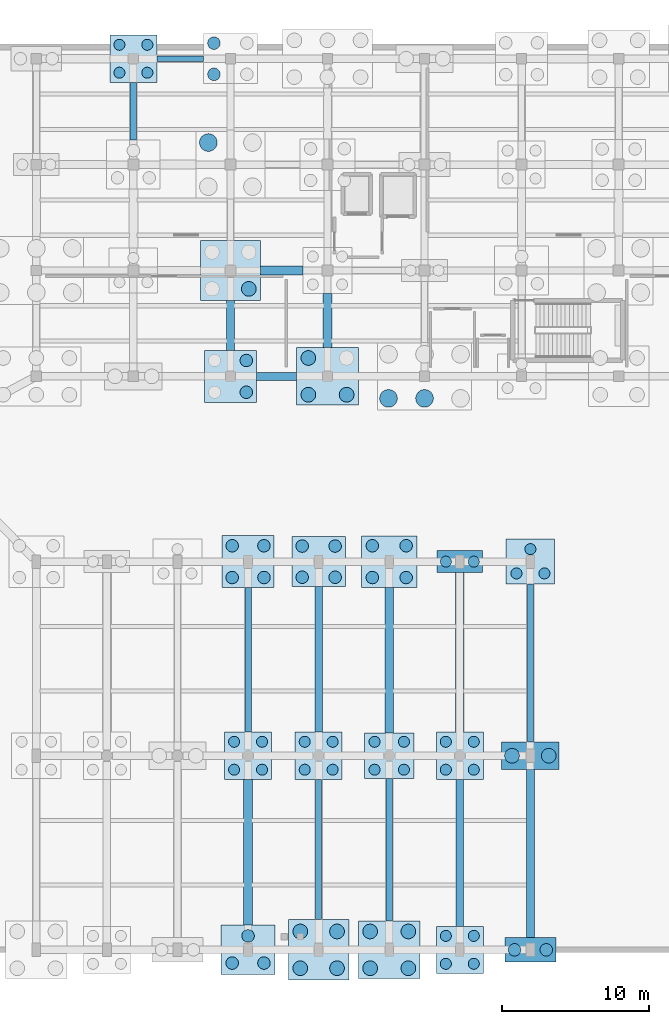
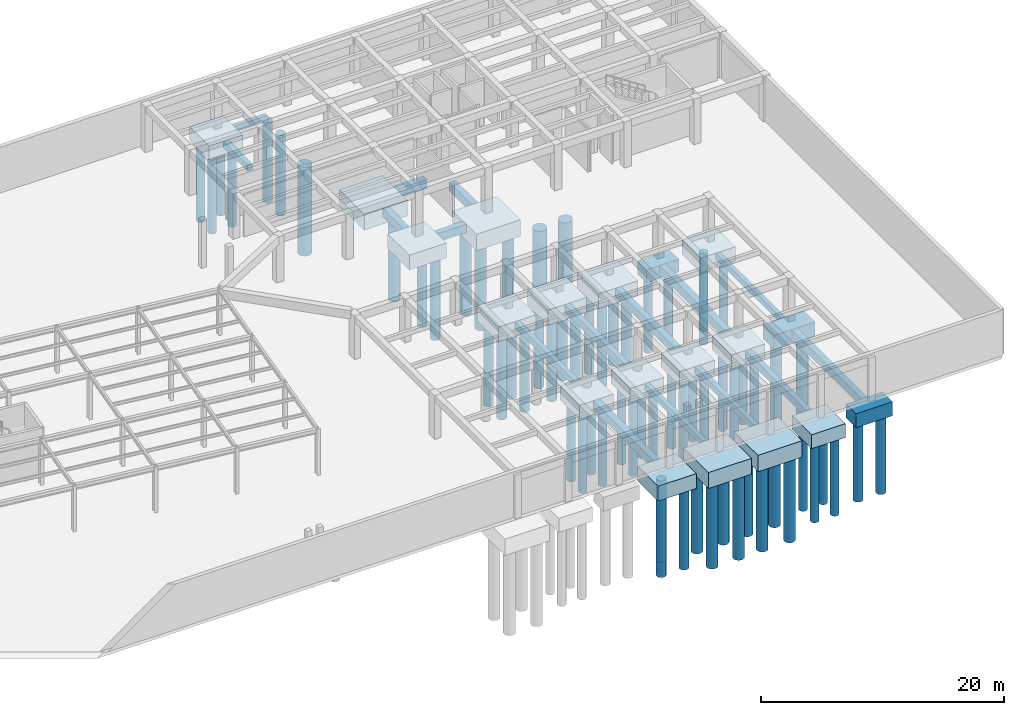
# One storey, part 8 of 34: 67 piles, 35 footings.
"""IFC4 building model written with IfcOpenShell, lengths in metres."""

from ifc_helpers import new_model, si_unit, direction, frame, origin, origin_2d, place, context, subcontext, project, spatial, rectangle, circle, extrude, material, material_profile, profile_set, type_object, element, save


model = new_model("IFC4")

# Units and contexts
model_context = context("Model", 3, precision=1e-05, world=origin(), true_north=direction((0.0, 1.0)))
body_context = subcontext(model_context, "Body", "Model", "MODEL_VIEW")
ifc_project = project(units=[si_unit("LENGTHUNIT", "METRE"), si_unit("AREAUNIT", "SQUARE_METRE"), si_unit("VOLUMEUNIT", "CUBIC_METRE"), si_unit("PLANEANGLEUNIT", "RADIAN"), si_unit("MASSUNIT", "GRAM", prefix="KILO")], contexts=[model_context])

# Site, building, storey
site_placement = place(None, origin())
site = spatial("IfcSite", under=ifc_project, at=site_placement, CompositionType="ELEMENT")
building_placement = place(site_placement, origin())
building = spatial("IfcBuilding", under=site, at=building_placement, Name="Kharisveld Research Institute", CompositionType="ELEMENT")
storey_placement = place(building_placement, frame((0.0, 0.0, -4.800048828125)))
storey = spatial("IfcBuildingStorey", under=building, at=storey_placement, Name="B1", CompositionType="ELEMENT", Elevation=-4.800048828125)

# Footings
ifc_material_1 = material(Name="Concrete C35/45", Category="concrete")
ifc_material_profile_1 = material_profile(ifc_material_1, rectangle(XDim=0.449951171875, YDim=0.64990234375, at=origin_2d()))
ifc_profile_set_1 = profile_set([ifc_material_profile_1], Name="Concrete C35/45")
footing_type_1 = type_object("IfcFootingType", Name="GB_01", PredefinedType="FOOTING_BEAM", material=ifc_profile_set_1)
footing_1_placement = place(storey_placement, frame((121.199951171875, 55.27490234375, -0.77490234375), z_axis=(0.0, 1.0, 0.0), x_axis=(-1.0, 0.0, 0.0)))
element("IfcFooting", 1, at=footing_1_placement, inside=storey, type_object=footing_type_1, Name="FTG:GB:V2:V1_2", PredefinedType="FOOTING_BEAM", context=body_context, shape_type="SweptSolid", body=[
    extrude(rectangle(XDim=0.449951171875, YDim=0.64990234375, at=origin_2d()), origin(), (0.0, 0.0, 1.0), 3.925048828125),
])
footing_2_placement = place(storey_placement, frame((129.0, 15.0, -0.77490234375), z_axis=(0.0, 1.0, 0.0), x_axis=(-1.0, 0.0, 0.0)))
element("IfcFooting", 2, at=footing_2_placement, inside=storey, type_object=footing_type_1, Name="FTG:GB:V5:V3_1", PredefinedType="FOOTING_BEAM", context=body_context, shape_type="SweptSolid", body=[
    extrude(rectangle(XDim=0.449951171875, YDim=0.64990234375, at=origin_2d()), origin(), (0.0, 0.0, 1.0), 9.824951171875),
])
footing_3_placement = place(storey_placement, frame((138.60009765625, 2.14990234375, -0.77490234375), z_axis=(0.0, 1.0, 0.0), x_axis=(-1.0, 0.0, 0.0)))
element("IfcFooting", 3, at=footing_3_placement, inside=storey, type_object=footing_type_1, Name="FTG:GB:V5:V5_0", PredefinedType="FOOTING_BEAM", context=body_context, shape_type="SweptSolid", body=[
    extrude(rectangle(XDim=0.449951171875, YDim=0.64990234375, at=origin_2d()), origin(), (0.0, 0.0, 1.0), 9.7001953125),
])
ifc_material_2 = material(Name="Concrete C35/45", Category="concrete")
ifc_material_profile_2 = material_profile(ifc_material_2, rectangle(XDim=0.5, YDim=0.75, at=origin_2d()))
ifc_profile_set_2 = profile_set([ifc_material_profile_2], Name="Concrete C35/45")
footing_type_2 = type_object("IfcFootingType", Name="GB_02", PredefinedType="FOOTING_BEAM", material=ifc_profile_set_2)
footing_4_placement = place(storey_placement, frame((133.800048828125, 15.0, -0.824951171875), z_axis=(0.0, 1.0, 0.0), x_axis=(-1.0, 0.0, 0.0)))
element("IfcFooting", 4, at=footing_4_placement, inside=storey, type_object=footing_type_2, Name="FTG:GB:V5:V4_1", PredefinedType="FOOTING_BEAM", context=body_context, shape_type="SweptSolid", body=[
    extrude(rectangle(XDim=0.5, YDim=0.75, at=origin_2d()), origin(), (0.0, 0.0, 1.0), 9.89990234375),
])
footing_5_placement = place(storey_placement, frame((143.39990234375, 1.800048828125, -0.824951171875), z_axis=(0.0, 1.0, 0.0), x_axis=(-1.0, 0.0, 0.0)))
element("IfcFooting", 5, at=footing_5_placement, inside=storey, type_object=footing_type_2, Name="FTG:GB:V5:V6_0", PredefinedType="FOOTING_BEAM", context=body_context, shape_type="SweptSolid", body=[
    extrude(rectangle(XDim=0.5, YDim=0.75, at=origin_2d()), origin(), (0.0, 0.0, 1.0), 10.0),
])
ifc_material_3 = material(Name="Concrete C35/45", Category="concrete")
ifc_material_profile_3 = material_profile(ifc_material_3, rectangle(XDim=0.550048828125, YDim=0.85009765625, at=origin_2d()))
ifc_profile_set_3 = profile_set([ifc_material_profile_3], Name="Concrete C35/45")
footing_type_3 = type_object("IfcFootingType", Name="GB_03", PredefinedType="FOOTING_BEAM", material=ifc_profile_set_3)
footing_6_placement = place(storey_placement, frame((129.574951171875, 39.199951171875, -0.875), z_axis=(1.0, 0.0, 0.0), x_axis=(0.0, 1.0, 0.0)))
element("IfcFooting", 6, at=footing_6_placement, inside=storey, type_object=footing_type_3, Name="FTG:GB:V2:U2_0", PredefinedType="FOOTING_BEAM", context=body_context, shape_type="SweptSolid", body=[
    extrude(rectangle(XDim=0.550048828125, YDim=0.85009765625, at=origin_2d()), origin(), (0.0, 0.0, 1.0), 2.72509765625),
])
footing_7_placement = place(storey_placement, frame((127.800048828125, 40.97509765625, -0.875), z_axis=(0.0, 1.0, 0.0), x_axis=(-1.0, 0.0, 0.0)))
element("IfcFooting", 7, at=footing_7_placement, inside=storey, type_object=footing_type_3, Name="FTG:GB:V2:V2_0", PredefinedType="FOOTING_BEAM", context=body_context, shape_type="SweptSolid", body=[
    extrude(rectangle(XDim=0.550048828125, YDim=0.85009765625, at=origin_2d()), origin(), (0.0, 0.0, 1.0), 3.375),
])
footing_8_placement = place(storey_placement, frame((138.60009765625, 14.949951171875, -0.875), z_axis=(0.0, 1.0, 0.0), x_axis=(-1.0, 0.0, 0.0)))
element("IfcFooting", 8, at=footing_8_placement, inside=storey, type_object=footing_type_3, Name="FTG:GB:V5:V5_1", PredefinedType="FOOTING_BEAM", context=body_context, shape_type="SweptSolid", body=[
    extrude(rectangle(XDim=0.550048828125, YDim=0.85009765625, at=origin_2d()), origin(), (0.0, 0.0, 1.0), 9.900146484375),
])
footing_9_placement = place(storey_placement, frame((148.199951171875, 1.02490234375, -0.875), z_axis=(0.0, 1.0, 0.0), x_axis=(-1.0, 0.0, 0.0)))
element("IfcFooting", 9, at=footing_9_placement, inside=storey, type_object=footing_type_3, Name="FTG:GB:V5:V7_0", PredefinedType="FOOTING_BEAM", context=body_context, shape_type="SweptSolid", body=[
    extrude(rectangle(XDim=0.550048828125, YDim=0.85009765625, at=origin_2d()), origin(), (0.0, 0.0, 1.0), 11.4501953125),
])
ifc_material_4 = material(Name="Concrete C35/45", Category="concrete")
ifc_material_profile_4 = material_profile(ifc_material_4, rectangle(XDim=0.60009765625, YDim=0.89990234375, at=origin_2d()))
ifc_profile_set_4 = profile_set([ifc_material_profile_4], Name="Concrete C35/45")
footing_type_4 = type_object("IfcFootingType", Name="GB_04", PredefinedType="FOOTING_BEAM", material=ifc_profile_set_4)
footing_10_placement = place(storey_placement, frame((129.85009765625, 46.39990234375, -0.89990234375), z_axis=(1.0, 0.0, 0.0), x_axis=(0.0, 1.0, 0.0)))
element("IfcFooting", 10, at=footing_10_placement, inside=storey, type_object=footing_type_4, Name="FTG:GB:V2:U2_1", PredefinedType="FOOTING_BEAM", context=body_context, shape_type="SweptSolid", body=[
    extrude(rectangle(XDim=0.60009765625, YDim=0.89990234375, at=origin_2d()), origin(), (0.0, 0.0, 1.0), 2.875),
])
footing_11_placement = place(storey_placement, frame((134.39990234375, 41.14990234375, -0.89990234375), z_axis=(0.0, 1.0, 0.0), x_axis=(-1.0, 0.0, 0.0)))
element("IfcFooting", 11, at=footing_11_placement, inside=storey, type_object=footing_type_4, Name="FTG:GB:V2:V3_0", PredefinedType="FOOTING_BEAM", context=body_context, shape_type="SweptSolid", body=[
    extrude(rectangle(XDim=0.60009765625, YDim=0.89990234375, at=origin_2d()), origin(), (0.0, 0.0, 1.0), 3.7001953125),
])
footing_12_placement = place(storey_placement, frame((129.0, 1.875, -0.89990234375), z_axis=(0.0, 1.0, 0.0), x_axis=(-1.0, 0.0, 0.0)))
element("IfcFooting", 12, at=footing_12_placement, inside=storey, type_object=footing_type_4, Name="FTG:GB:V5:V3_0", PredefinedType="FOOTING_BEAM", context=body_context, shape_type="SweptSolid", body=[
    extrude(rectangle(XDim=0.60009765625, YDim=0.89990234375, at=origin_2d()), origin(), (0.0, 0.0, 1.0), 9.925048828125),
])
footing_13_placement = place(storey_placement, frame((143.39990234375, 15.0, -0.89990234375), z_axis=(0.0, 1.0, 0.0), x_axis=(-1.0, 0.0, 0.0)))
element("IfcFooting", 13, at=footing_13_placement, inside=storey, type_object=footing_type_4, Name="FTG:GB:V5:V6_1", PredefinedType="FOOTING_BEAM", context=body_context, shape_type="SweptSolid", body=[
    extrude(rectangle(XDim=0.60009765625, YDim=0.89990234375, at=origin_2d()), origin(), (0.0, 0.0, 1.0), 10.85009765625),
])
ifc_material_5 = material(Name="Concrete C35/45", Category="concrete")
ifc_material_profile_5 = material_profile(ifc_material_5, rectangle(XDim=0.39990234375, YDim=0.60009765625, at=origin_2d()))
ifc_profile_set_5 = profile_set([ifc_material_profile_5], Name="Concrete C35/45")
footing_type_5 = type_object("IfcFootingType", Name="GB_05", PredefinedType="FOOTING_BEAM", material=ifc_profile_set_5)
footing_14_placement = place(storey_placement, frame((122.800048828125, 60.800048828125, -0.75), z_axis=(1.0, 0.0, 0.0), x_axis=(0.0, 1.0, 0.0)))
element("IfcFooting", 14, at=footing_14_placement, inside=storey, type_object=footing_type_5, Name="FTG:GB:V2:U1_3", PredefinedType="FOOTING_BEAM", context=body_context, shape_type="SweptSolid", body=[
    extrude(rectangle(XDim=0.39990234375, YDim=0.60009765625, at=origin_2d()), origin(), (0.0, 0.0, 1.0), 3.175048828125),
])
footing_15_placement = place(storey_placement, frame((133.800048828125, 2.25, -0.75), z_axis=(0.0, 1.0, 0.0), x_axis=(-1.0, 0.0, 0.0)))
element("IfcFooting", 15, at=footing_15_placement, inside=storey, type_object=footing_type_5, Name="FTG:GB:V5:V4_0", PredefinedType="FOOTING_BEAM", context=body_context, shape_type="SweptSolid", body=[
    extrude(rectangle(XDim=0.39990234375, YDim=0.60009765625, at=origin_2d()), origin(), (0.0, 0.0, 1.0), 9.550048828125),
])
footing_16_placement = place(storey_placement, frame((148.199951171875, 14.324951171875, -0.75), z_axis=(0.0, 1.0, 0.0), x_axis=(-1.0, 0.0, 0.0)))
element("IfcFooting", 16, at=footing_16_placement, inside=storey, type_object=footing_type_5, Name="FTG:GB:V5:V7_1", PredefinedType="FOOTING_BEAM", context=body_context, shape_type="SweptSolid", body=[
    extrude(rectangle(XDim=0.39990234375, YDim=0.60009765625, at=origin_2d()), origin(), (0.0, 0.0, 1.0), 10.75),
])
ifc_material_6 = material(Name="Concrete C35/45", Category="concrete")
footing_type_6 = type_object("IfcFootingType", Name="PC_2P_A", PredefinedType="PILE_CAP", material=ifc_material_6)
footing_17_placement = place(storey_placement, frame((143.39990234375, 26.60009765625, -1.75), z_axis=(0.0, 0.0, 1.0), x_axis=(1.0, 0.0, 0.0)))
element("IfcFooting", 17, at=footing_17_placement, inside=storey, type_object=footing_type_6, Name="FTG:V5:U6V2", PredefinedType="PILE_CAP", context=body_context, shape_type="SweptSolid", body=[
    extrude(rectangle(XDim=3.10009765625, YDim=1.5, at=origin_2d()), origin(), (0.0, 0.0, 1.0), 1.300048828125),
])
ifc_material_7 = material(Name="Concrete C35/45", Category="concrete")
footing_type_7 = type_object("IfcFootingType", Name="PC_2P_B", PredefinedType="PILE_CAP", material=ifc_material_7)
footing_18_placement = place(storey_placement, frame((148.199951171875, 0.199951171875, -1.849853515625), z_axis=(0.0, 0.0, 1.0), x_axis=(1.0, 0.0, 0.0)))
element("IfcFooting", 18, at=footing_18_placement, inside=storey, type_object=footing_type_7, Name="FTG:V5:U7V0", PredefinedType="PILE_CAP", context=body_context, shape_type="SweptSolid", body=[
    extrude(rectangle(XDim=3.449951171875, YDim=1.64990234375, at=origin_2d()), origin(), (0.0, 0.0, 1.0), 1.39990234375),
])
ifc_material_8 = material(Name="Concrete C35/45", Category="concrete")
footing_type_8 = type_object("IfcFootingType", Name="PC_2P_C", PredefinedType="PILE_CAP", material=ifc_material_8)
footing_19_placement = place(storey_placement, frame((148.199951171875, 13.39990234375, -1.89990234375), z_axis=(0.0, 0.0, 1.0), x_axis=(1.0, 0.0, 0.0)))
element("IfcFooting", 19, at=footing_19_placement, inside=storey, type_object=footing_type_8, Name="FTG:V5:U7V1", PredefinedType="PILE_CAP", context=body_context, shape_type="SweptSolid", body=[
    extrude(rectangle(XDim=3.89990234375, YDim=1.85009765625, at=origin_2d()), origin(), (0.0, 0.0, 1.0), 1.449951171875),
])
ifc_material_9 = material(Name="Concrete C35/45", Category="concrete")
footing_type_9 = type_object("IfcFootingType", Name="PC_3P_A", PredefinedType="PILE_CAP", material=ifc_material_9)
footing_20_placement = place(storey_placement, frame((148.199951171875, 26.60009765625, -1.89990234375), z_axis=(0.0, 0.0, 1.0), x_axis=(1.0, 0.0, 0.0)))
element("IfcFooting", 20, at=footing_20_placement, inside=storey, type_object=footing_type_9, Name="FTG:V5:U7V2", PredefinedType="PILE_CAP", context=body_context, shape_type="SweptSolid", body=[
    extrude(rectangle(XDim=3.300048828125, YDim=3.050048828125, at=origin_2d()), origin(), (0.0, 0.0, 1.0), 1.449951171875),
])
ifc_material_10 = material(Name="Concrete C35/45", Category="concrete")
footing_type_10 = type_object("IfcFootingType", Name="PC_3P_B", PredefinedType="PILE_CAP", material=ifc_material_10)
footing_21_placement = place(storey_placement, frame((129.0, 0.199951171875, -1.949951171875), z_axis=(0.0, 0.0, 1.0), x_axis=(1.0, 0.0, 0.0)))
element("IfcFooting", 21, at=footing_21_placement, inside=storey, type_object=footing_type_10, Name="FTG:V5:U3V0", PredefinedType="PILE_CAP", context=body_context, shape_type="SweptSolid", body=[
    extrude(rectangle(XDim=3.64990234375, YDim=3.35009765625, at=origin_2d()), origin(), (0.0, 0.0, 1.0), 1.5),
])
ifc_material_11 = material(Name="Concrete C35/45", Category="concrete")
footing_type_11 = type_object("IfcFootingType", Name="PC_4P_A", PredefinedType="PILE_CAP", material=ifc_material_11)
for number, where, z_axis, x_axis, name in (
    (22, (121.199951171875, 60.800048828125, -1.849853515625), (0.0, 0.0, 1.0), (1.0, 0.0, 0.0), "FTG:V2:U1V3"),
    (23, (129.0, 13.39990234375, -1.849853515625), (0.0, 0.0, 1.0), (1.0, 0.0, 0.0), "FTG:V5:U3V1"),
    (24, (133.800048828125, 13.39990234375, -1.849853515625), (0.0, 0.0, 1.0), (1.0, 0.0, 0.0), "FTG:V5:U4V1"),
    (25, (143.39990234375, 0.199951171875, -1.849853515625), (0.0, 0.0, 1.0), (1.0, 0.0, 0.0), "FTG:V5:U6V0"),
    (26, (143.39990234375, 13.39990234375, -1.849853515625), (0.0, 0.0, 1.0), (1.0, 0.0, 0.0), "FTG:V5:U6V1"),
):
    element("IfcFooting", number, at=place(storey_placement, frame(where, z_axis=z_axis, x_axis=x_axis)), inside=storey, type_object=footing_type_11, Name=name, PredefinedType="PILE_CAP", context=body_context, shape_type="SweptSolid", body=[
        extrude(rectangle(XDim=3.199951171875, YDim=3.199951171875, at=origin_2d()), origin(), (0.0, 0.0, 1.0), 1.39990234375),
    ])
ifc_material_12 = material(Name="Concrete C35/45", Category="concrete")
footing_type_12 = type_object("IfcFootingType", Name="PC_4P_B", PredefinedType="PILE_CAP", material=ifc_material_12)
for number, where, z_axis, x_axis, name in (
    (27, (127.800048828125, 39.199951171875, -1.949951171875), (0.0, 0.0, 1.0), (1.0, 0.0, 0.0), "FTG:V2:U2V0"),
    (28, (129.0, 26.60009765625, -1.949951171875), (0.0, 0.0, 1.0), (1.0, 0.0, 0.0), "FTG:V5:U3V2"),
):
    element("IfcFooting", number, at=place(storey_placement, frame(where, z_axis=z_axis, x_axis=x_axis)), inside=storey, type_object=footing_type_12, Name=name, PredefinedType="PILE_CAP", context=body_context, shape_type="SweptSolid", body=[
        extrude(rectangle(XDim=3.550048828125, YDim=3.550048828125, at=origin_2d()), origin(), (0.0, 0.0, 1.0), 1.5),
    ])
ifc_material_13 = material(Name="Concrete C35/45", Category="concrete")
footing_type_13 = type_object("IfcFootingType", Name="PC_4P_C", PredefinedType="PILE_CAP", material=ifc_material_13)
for number, where, z_axis, x_axis, name in (
    (29, (127.800048828125, 46.39990234375, -2.050048828125), (0.0, 0.0, 1.0), (1.0, 0.0, 0.0), "FTG:V2:U2V1"),
    (30, (133.800048828125, 0.199951171875, -2.050048828125), (0.0, 0.0, 1.0), (1.0, 0.0, 0.0), "FTG:V5:U4V0"),
):
    element("IfcFooting", number, at=place(storey_placement, frame(where, z_axis=z_axis, x_axis=x_axis)), inside=storey, type_object=footing_type_13, Name=name, PredefinedType="PILE_CAP", context=body_context, shape_type="SweptSolid", body=[
        extrude(rectangle(XDim=4.10009765625, YDim=4.10009765625, at=origin_2d()), origin(), (0.0, 0.0, 1.0), 1.60009765625),
    ])
ifc_material_14 = material(Name="Concrete C35/45", Category="concrete")
footing_type_14 = type_object("IfcFootingType", Name="PC_4P_E", PredefinedType="PILE_CAP", material=ifc_material_14)
footing_22_placement = place(storey_placement, frame((133.800048828125, 26.60009765625, -2.0), z_axis=(0.0, 0.0, 1.0), x_axis=(1.0, 0.0, 0.0)))
element("IfcFooting", 31, at=footing_22_placement, inside=storey, type_object=footing_type_14, Name="FTG:V5:U4V2", PredefinedType="PILE_CAP", context=body_context, shape_type="SweptSolid", body=[
    extrude(rectangle(XDim=3.64990234375, YDim=3.39990234375, at=origin_2d()), origin(), (0.0, 0.0, 1.0), 1.550048828125),
])
ifc_material_15 = material(Name="Concrete C35/45", Category="concrete")
footing_type_15 = type_object("IfcFootingType", Name="PC_4P_F", PredefinedType="PILE_CAP", material=ifc_material_15)
for number, where, z_axis, x_axis, name in (
    (32, (134.39990234375, 39.199951171875, -2.099853515625), (0.0, 0.0, 1.0), (1.0, 0.0, 0.0), "FTG:V2:U3V0"),
    (33, (138.60009765625, 0.199951171875, -2.099853515625), (0.0, 0.0, 1.0), (1.0, 0.0, 0.0), "FTG:V5:U5V0"),
):
    element("IfcFooting", number, at=place(storey_placement, frame(where, z_axis=z_axis, x_axis=x_axis)), inside=storey, type_object=footing_type_15, Name=name, PredefinedType="PILE_CAP", context=body_context, shape_type="SweptSolid", body=[
        extrude(rectangle(XDim=4.199951171875, YDim=3.89990234375, at=origin_2d()), origin(), (0.0, 0.0, 1.0), 1.64990234375),
    ])
ifc_material_16 = material(Name="Concrete C35/45", Category="concrete")
footing_type_16 = type_object("IfcFootingType", Name="PC_4P_G", PredefinedType="PILE_CAP", material=ifc_material_16)
footing_23_placement = place(storey_placement, frame((138.60009765625, 13.39990234375, -1.869873046875), z_axis=(0.0, 0.0, 1.0), x_axis=(1.0, 0.0, 0.0)))
element("IfcFooting", 34, at=footing_23_placement, inside=storey, type_object=footing_type_16, Name="FTG:V5:U5V1", PredefinedType="PILE_CAP", context=body_context, shape_type="SweptSolid", body=[
    extrude(rectangle(XDim=3.35009765625, YDim=3.10009765625, at=origin_2d()), origin(), (0.0, 0.0, 1.0), 1.419921875),
])
ifc_material_17 = material(Name="Concrete C35/45", Category="concrete")
footing_type_17 = type_object("IfcFootingType", Name="PC_4P_H", PredefinedType="PILE_CAP", material=ifc_material_17)
footing_24_placement = place(storey_placement, frame((138.60009765625, 26.60009765625, -1.969970703125), z_axis=(0.0, 0.0, 1.0), x_axis=(1.0, 0.0, 0.0)))
element("IfcFooting", 35, at=footing_24_placement, inside=storey, type_object=footing_type_17, Name="FTG:V5:U5V2", PredefinedType="PILE_CAP", context=body_context, shape_type="SweptSolid", body=[
    extrude(rectangle(XDim=3.75, YDim=3.5, at=origin_2d()), origin(), (0.0, 0.0, 1.0), 1.52001953125),
])

# Piles
ifc_material_18 = material(Name="Concrete C40/50", Category="concrete")
ifc_material_profile_6 = material_profile(ifc_material_18, circle(Radius=0.5, at=origin_2d()))
ifc_profile_set_6 = profile_set([ifc_material_profile_6], Name="Concrete C40/50")
pile_type_1 = type_object("IfcPileType", Name="PILE_D1000", PredefinedType="BORED", material=ifc_profile_set_6)
pile_1_placement = place(storey_placement, frame((129.050048828125, 45.14990234375, -1.949951171875), z_axis=(0.0, 0.0, -1.0), x_axis=(1.0, 0.0, 0.0)))
element("IfcPile", 36, at=pile_1_placement, inside=storey, type_object=pile_type_1, Name="PILE:V2:U2V1:P2", PredefinedType="BORED", context=body_context, shape_type="SweptSolid", body=[
    extrude(circle(Radius=0.5, at=origin_2d()), origin(), (0.0, 0.0, 1.0), 8.60009765625),
])
for number, where, z_axis, x_axis, name in (
    (37, (133.10009765625, 37.949951171875, -2.0), (0.0, 0.0, -1.0), (1.0, 0.0, 0.0), "PILE:V2:U3V0:P1"),
    (38, (135.699951171875, 37.949951171875, -2.0), (0.0, 0.0, -1.0), (1.0, 0.0, 0.0), "PILE:V2:U3V0:P2"),
    (39, (133.10009765625, 40.449951171875, -2.0), (0.0, 0.0, -1.0), (1.0, 0.0, 0.0), "PILE:V2:U3V0:P4"),
):
    element("IfcPile", number, at=place(storey_placement, frame(where, z_axis=z_axis, x_axis=x_axis)), inside=storey, type_object=pile_type_1, Name=name, PredefinedType="BORED", context=body_context, shape_type="SweptSolid", body=[
        extrude(circle(Radius=0.5, at=origin_2d()), origin(), (0.0, 0.0, 1.0), 8.5),
    ])
for number, where, z_axis, x_axis, name in (
    (40, (132.550048828125, -1.050048828125, -1.949951171875), (0.0, 0.0, -1.0), (1.0, 0.0, 0.0), "PILE:V5:U4V0:P1"),
    (41, (135.050048828125, -1.050048828125, -1.949951171875), (0.0, 0.0, -1.0), (1.0, 0.0, 0.0), "PILE:V5:U4V0:P2"),
    (42, (135.050048828125, 1.449951171875, -1.949951171875), (0.0, 0.0, -1.0), (1.0, 0.0, 0.0), "PILE:V5:U4V0:P3"),
    (43, (132.550048828125, 1.449951171875, -1.949951171875), (0.0, 0.0, -1.0), (1.0, 0.0, 0.0), "PILE:V5:U4V0:P4"),
):
    element("IfcPile", number, at=place(storey_placement, frame(where, z_axis=z_axis, x_axis=x_axis)), inside=storey, type_object=pile_type_1, Name=name, PredefinedType="BORED", context=body_context, shape_type="SweptSolid", body=[
        extrude(circle(Radius=0.5, at=origin_2d()), origin(), (0.0, 0.0, 1.0), 8.60009765625),
    ])
for number, where, z_axis, x_axis, name in (
    (44, (137.300048828125, -1.050048828125, -2.0), (0.0, 0.0, -1.0), (1.0, 0.0, 0.0), "PILE:V5:U5V0:P1"),
    (45, (139.89990234375, -1.050048828125, -2.0), (0.0, 0.0, -1.0), (1.0, 0.0, 0.0), "PILE:V5:U5V0:P2"),
    (46, (139.89990234375, 1.449951171875, -2.0), (0.0, 0.0, -1.0), (1.0, 0.0, 0.0), "PILE:V5:U5V0:P3"),
    (47, (137.300048828125, 1.449951171875, -2.0), (0.0, 0.0, -1.0), (1.0, 0.0, 0.0), "PILE:V5:U5V0:P4"),
):
    element("IfcPile", number, at=place(storey_placement, frame(where, z_axis=z_axis, x_axis=x_axis)), inside=storey, type_object=pile_type_1, Name=name, PredefinedType="BORED", context=body_context, shape_type="SweptSolid", body=[
        extrude(circle(Radius=0.5, at=origin_2d()), origin(), (0.0, 0.0, 1.0), 8.5),
    ])
for number, where, z_axis, x_axis, name in (
    (48, (146.949951171875, 13.39990234375, -1.800048828125), (0.0, 0.0, -1.0), (1.0, 0.0, 0.0), "PILE:V5:U7V1:P1"),
    (49, (149.449951171875, 13.39990234375, -1.800048828125), (0.0, 0.0, -1.0), (1.0, 0.0, 0.0), "PILE:V5:U7V1:P2"),
):
    element("IfcPile", number, at=place(storey_placement, frame(where, z_axis=z_axis, x_axis=x_axis)), inside=storey, type_object=pile_type_1, Name=name, PredefinedType="BORED", context=body_context, shape_type="SweptSolid", body=[
        extrude(circle(Radius=0.5, at=origin_2d()), origin(), (0.0, 0.0, 1.0), 8.300048828125),
    ])
ifc_material_19 = material(Name="Concrete C40/50", Category="concrete")
ifc_material_profile_7 = material_profile(ifc_material_19, circle(Radius=0.60009765625, at=origin_2d()))
ifc_profile_set_7 = profile_set([ifc_material_profile_7], Name="Concrete C40/50")
pile_type_2 = type_object("IfcPileType", Name="PILE_D1200", PredefinedType="BORED", material=ifc_profile_set_7)
pile_2_placement = place(storey_placement, frame((126.300048828125, 55.10009765625, -2.050048828125), z_axis=(0.0, 0.0, -1.0), x_axis=(1.0, 0.0, 0.0)))
element("IfcPile", 50, at=pile_2_placement, inside=storey, type_object=pile_type_2, Name="PILE:V2:U2V2:P4", PredefinedType="BORED", context=body_context, shape_type="SweptSolid", body=[
    extrude(circle(Radius=0.60009765625, at=origin_2d()), origin(), (0.0, 0.0, 1.0), 8.89990234375),
])
for number, where, z_axis, x_axis, name in (
    (51, (138.550048828125, 37.699951171875, -2.199951171875), (0.0, 0.0, -1.0), (1.0, 0.0, 0.0), "PILE:V2:U4V0:P1"),
    (52, (141.0, 37.699951171875, -2.199951171875), (0.0, 0.0, -1.0), (1.0, 0.0, 0.0), "PILE:V2:U4V0:P2"),
):
    element("IfcPile", number, at=place(storey_placement, frame(where, z_axis=z_axis, x_axis=x_axis)), inside=storey, type_object=pile_type_2, Name=name, PredefinedType="BORED", context=body_context, shape_type="SweptSolid", body=[
        extrude(circle(Radius=0.60009765625, at=origin_2d()), origin(), (0.0, 0.0, 1.0), 9.10009765625),
    ])
ifc_material_20 = material(Name="Concrete C40/50", Category="concrete")
ifc_material_profile_8 = material_profile(ifc_material_20, circle(Radius=0.375, at=origin_2d()))
ifc_profile_set_8 = profile_set([ifc_material_profile_8], Name="Concrete C40/50")
pile_type_3 = type_object("IfcPileType", Name="PILE_D750", PredefinedType="BORED", material=ifc_profile_set_8)
for number, where, z_axis, x_axis, name in (
    (53, (120.25, 59.85009765625, -1.75), (0.0, 0.0, -1.0), (1.0, 0.0, 0.0), "PILE:V2:U1V3:P1"),
    (54, (122.14990234375, 59.85009765625, -1.75), (0.0, 0.0, -1.0), (1.0, 0.0, 0.0), "PILE:V2:U1V3:P2"),
    (55, (122.14990234375, 61.75, -1.75), (0.0, 0.0, -1.0), (1.0, 0.0, 0.0), "PILE:V2:U1V3:P3"),
    (56, (120.25, 61.75, -1.75), (0.0, 0.0, -1.0), (1.0, 0.0, 0.0), "PILE:V2:U1V3:P4"),
    (57, (128.050048828125, 12.449951171875, -1.75), (0.0, 0.0, -1.0), (1.0, 0.0, 0.0), "PILE:V5:U3V1:P1"),
    (58, (129.949951171875, 12.449951171875, -1.75), (0.0, 0.0, -1.0), (1.0, 0.0, 0.0), "PILE:V5:U3V1:P2"),
    (59, (129.949951171875, 14.35009765625, -1.75), (0.0, 0.0, -1.0), (1.0, 0.0, 0.0), "PILE:V5:U3V1:P3"),
    (60, (128.050048828125, 14.35009765625, -1.75), (0.0, 0.0, -1.0), (1.0, 0.0, 0.0), "PILE:V5:U3V1:P4"),
    (61, (132.85009765625, 12.449951171875, -1.75), (0.0, 0.0, -1.0), (1.0, 0.0, 0.0), "PILE:V5:U4V1:P1"),
    (62, (134.75, 12.449951171875, -1.75), (0.0, 0.0, -1.0), (1.0, 0.0, 0.0), "PILE:V5:U4V1:P2"),
    (63, (134.75, 14.35009765625, -1.75), (0.0, 0.0, -1.0), (1.0, 0.0, 0.0), "PILE:V5:U4V1:P3"),
    (64, (132.85009765625, 14.35009765625, -1.75), (0.0, 0.0, -1.0), (1.0, 0.0, 0.0), "PILE:V5:U4V1:P4"),
):
    element("IfcPile", number, at=place(storey_placement, frame(where, z_axis=z_axis, x_axis=x_axis)), inside=storey, type_object=pile_type_3, Name=name, PredefinedType="BORED", context=body_context, shape_type="SweptSolid", body=[
        extrude(circle(Radius=0.375, at=origin_2d()), origin(), (0.0, 0.0, 1.0), 7.89990234375),
    ])
for number, where, z_axis, x_axis, name in (
    (65, (137.60009765625, 12.449951171875, -1.77001953125), (0.0, 0.0, -1.0), (1.0, 0.0, 0.0), "PILE:V5:U5V1:P1"),
    (66, (139.60009765625, 12.449951171875, -1.77001953125), (0.0, 0.0, -1.0), (1.0, 0.0, 0.0), "PILE:V5:U5V1:P2"),
    (67, (139.60009765625, 14.35009765625, -1.77001953125), (0.0, 0.0, -1.0), (1.0, 0.0, 0.0), "PILE:V5:U5V1:P3"),
    (68, (137.60009765625, 14.35009765625, -1.77001953125), (0.0, 0.0, -1.0), (1.0, 0.0, 0.0), "PILE:V5:U5V1:P4"),
):
    element("IfcPile", number, at=place(storey_placement, frame(where, z_axis=z_axis, x_axis=x_axis)), inside=storey, type_object=pile_type_3, Name=name, PredefinedType="BORED", context=body_context, shape_type="SweptSolid", body=[
        extrude(circle(Radius=0.375, at=origin_2d()), origin(), (0.0, 0.0, 1.0), 7.949951171875),
    ])
for number, where, z_axis, x_axis, name in (
    (69, (142.449951171875, -0.75, -1.75), (0.0, 0.0, -1.0), (1.0, 0.0, 0.0), "PILE:V5:U6V0:P1"),
    (70, (144.35009765625, -0.75, -1.75), (0.0, 0.0, -1.0), (1.0, 0.0, 0.0), "PILE:V5:U6V0:P2"),
    (71, (144.35009765625, 1.14990234375, -1.75), (0.0, 0.0, -1.0), (1.0, 0.0, 0.0), "PILE:V5:U6V0:P3"),
    (72, (142.449951171875, 1.14990234375, -1.75), (0.0, 0.0, -1.0), (1.0, 0.0, 0.0), "PILE:V5:U6V0:P4"),
    (73, (142.449951171875, 12.449951171875, -1.75), (0.0, 0.0, -1.0), (1.0, 0.0, 0.0), "PILE:V5:U6V1:P1"),
    (74, (144.35009765625, 12.449951171875, -1.75), (0.0, 0.0, -1.0), (1.0, 0.0, 0.0), "PILE:V5:U6V1:P2"),
    (75, (144.35009765625, 14.35009765625, -1.75), (0.0, 0.0, -1.0), (1.0, 0.0, 0.0), "PILE:V5:U6V1:P3"),
    (76, (142.449951171875, 14.35009765625, -1.75), (0.0, 0.0, -1.0), (1.0, 0.0, 0.0), "PILE:V5:U6V1:P4"),
):
    element("IfcPile", number, at=place(storey_placement, frame(where, z_axis=z_axis, x_axis=x_axis)), inside=storey, type_object=pile_type_3, Name=name, PredefinedType="BORED", context=body_context, shape_type="SweptSolid", body=[
        extrude(circle(Radius=0.375, at=origin_2d()), origin(), (0.0, 0.0, 1.0), 7.89990234375),
    ])
for number, where, z_axis, x_axis, name in (
    (77, (142.449951171875, 26.60009765625, -1.64990234375), (0.0, 0.0, -1.0), (1.0, 0.0, 0.0), "PILE:V5:U6V2:P1"),
    (78, (144.35009765625, 26.60009765625, -1.64990234375), (0.0, 0.0, -1.0), (1.0, 0.0, 0.0), "PILE:V5:U6V2:P2"),
):
    element("IfcPile", number, at=place(storey_placement, frame(where, z_axis=z_axis, x_axis=x_axis)), inside=storey, type_object=pile_type_3, Name=name, PredefinedType="BORED", context=body_context, shape_type="SweptSolid", body=[
        extrude(circle(Radius=0.375, at=origin_2d()), origin(), (0.0, 0.0, 1.0), 7.60009765625),
    ])
for number, where, z_axis, x_axis, name in (
    (79, (147.25, 25.800048828125, -1.800048828125), (0.0, 0.0, -1.0), (1.0, 0.0, 0.0), "PILE:V5:U7V2:P1"),
    (80, (149.14990234375, 25.800048828125, -1.800048828125), (0.0, 0.0, -1.0), (1.0, 0.0, 0.0), "PILE:V5:U7V2:P2"),
    (81, (148.199951171875, 27.449951171875, -1.800048828125), (0.0, 0.0, -1.0), (1.0, 0.0, 0.0), "PILE:V5:U7V2:P3"),
):
    element("IfcPile", number, at=place(storey_placement, frame(where, z_axis=z_axis, x_axis=x_axis)), inside=storey, type_object=pile_type_3, Name=name, PredefinedType="BORED", context=body_context, shape_type="SweptSolid", body=[
        extrude(circle(Radius=0.375, at=origin_2d()), origin(), (0.0, 0.0, 1.0), 7.800048828125),
    ])
ifc_material_21 = material(Name="Concrete C40/50", Category="concrete")
ifc_material_profile_9 = material_profile(ifc_material_21, circle(Radius=0.425048828125, at=origin_2d()))
ifc_profile_set_9 = profile_set([ifc_material_profile_9], Name="Concrete C40/50")
pile_type_4 = type_object("IfcPileType", Name="PILE_D850", PredefinedType="BORED", material=ifc_profile_set_9)
for number, where, z_axis, x_axis, name in (
    (82, (128.8798828125, 38.1201171875, -1.849853515625), (0.0, 0.0, -1.0), (1.0, 0.0, 0.0), "PILE:V2:U2V0:P2"),
    (83, (128.8798828125, 40.280029296875, -1.849853515625), (0.0, 0.0, -1.0), (1.0, 0.0, 0.0), "PILE:V2:U2V0:P3"),
):
    element("IfcPile", number, at=place(storey_placement, frame(where, z_axis=z_axis, x_axis=x_axis)), inside=storey, type_object=pile_type_4, Name=name, PredefinedType="BORED", context=body_context, shape_type="SweptSolid", body=[
        extrude(circle(Radius=0.425048828125, at=origin_2d()), origin(), (0.0, 0.0, 1.0), 8.300048828125),
    ])
for number, where, z_axis, x_axis, name in (
    (84, (126.679931640625, 59.739990234375, -1.89990234375), (0.0, 0.0, -1.0), (1.0, 0.0, 0.0), "PILE:V2:U2V3:P1"),
    (85, (126.679931640625, 61.860107421875, -1.89990234375), (0.0, 0.0, -1.0), (1.0, 0.0, 0.0), "PILE:V2:U2V3:P4"),
):
    element("IfcPile", number, at=place(storey_placement, frame(where, z_axis=z_axis, x_axis=x_axis)), inside=storey, type_object=pile_type_4, Name=name, PredefinedType="BORED", context=body_context, shape_type="SweptSolid", body=[
        extrude(circle(Radius=0.425048828125, at=origin_2d()), origin(), (0.0, 0.0, 1.0), 8.10009765625),
    ])
for number, where, z_axis, x_axis, name in (
    (86, (127.919921875, -0.699951171875, -1.849853515625), (0.0, 0.0, -1.0), (1.0, 0.0, 0.0), "PILE:V5:U3V0:P1"),
    (87, (130.080078125, -0.699951171875, -1.849853515625), (0.0, 0.0, -1.0), (1.0, 0.0, 0.0), "PILE:V5:U3V0:P2"),
    (88, (129.0, 1.14990234375, -1.849853515625), (0.0, 0.0, -1.0), (1.0, 0.0, 0.0), "PILE:V5:U3V0:P3"),
):
    element("IfcPile", number, at=place(storey_placement, frame(where, z_axis=z_axis, x_axis=x_axis)), inside=storey, type_object=pile_type_4, Name=name, PredefinedType="BORED", context=body_context, shape_type="SweptSolid", body=[
        extrude(circle(Radius=0.425048828125, at=origin_2d()), origin(), (0.0, 0.0, 1.0), 8.199951171875),
    ])
for number, where, z_axis, x_axis, name in (
    (89, (127.919921875, 25.52001953125, -1.849853515625), (0.0, 0.0, -1.0), (1.0, 0.0, 0.0), "PILE:V5:U3V2:P1"),
    (90, (130.080078125, 25.52001953125, -1.849853515625), (0.0, 0.0, -1.0), (1.0, 0.0, 0.0), "PILE:V5:U3V2:P2"),
    (91, (130.080078125, 27.679931640625, -1.849853515625), (0.0, 0.0, -1.0), (1.0, 0.0, 0.0), "PILE:V5:U3V2:P3"),
    (92, (127.919921875, 27.679931640625, -1.849853515625), (0.0, 0.0, -1.0), (1.0, 0.0, 0.0), "PILE:V5:U3V2:P4"),
):
    element("IfcPile", number, at=place(storey_placement, frame(where, z_axis=z_axis, x_axis=x_axis)), inside=storey, type_object=pile_type_4, Name=name, PredefinedType="BORED", context=body_context, shape_type="SweptSolid", body=[
        extrude(circle(Radius=0.425048828125, at=origin_2d()), origin(), (0.0, 0.0, 1.0), 8.300048828125),
    ])
for number, where, z_axis, x_axis, name in (
    (93, (132.679931640625, 25.5400390625, -1.89990234375), (0.0, 0.0, -1.0), (1.0, 0.0, 0.0), "PILE:V5:U4V2:P1"),
    (94, (134.919921875, 25.5400390625, -1.89990234375), (0.0, 0.0, -1.0), (1.0, 0.0, 0.0), "PILE:V5:U4V2:P2"),
    (95, (134.919921875, 27.659912109375, -1.89990234375), (0.0, 0.0, -1.0), (1.0, 0.0, 0.0), "PILE:V5:U4V2:P3"),
    (96, (132.679931640625, 27.659912109375, -1.89990234375), (0.0, 0.0, -1.0), (1.0, 0.0, 0.0), "PILE:V5:U4V2:P4"),
):
    element("IfcPile", number, at=place(storey_placement, frame(where, z_axis=z_axis, x_axis=x_axis)), inside=storey, type_object=pile_type_4, Name=name, PredefinedType="BORED", context=body_context, shape_type="SweptSolid", body=[
        extrude(circle(Radius=0.425048828125, at=origin_2d()), origin(), (0.0, 0.0, 1.0), 8.10009765625),
    ])
for number, where, z_axis, x_axis, name in (
    (97, (137.449951171875, 25.52001953125, -1.869873046875), (0.0, 0.0, -1.0), (1.0, 0.0, 0.0), "PILE:V5:U5V2:P1"),
    (98, (139.75, 25.52001953125, -1.869873046875), (0.0, 0.0, -1.0), (1.0, 0.0, 0.0), "PILE:V5:U5V2:P2"),
    (99, (139.75, 27.679931640625, -1.869873046875), (0.0, 0.0, -1.0), (1.0, 0.0, 0.0), "PILE:V5:U5V2:P3"),
    (100, (137.449951171875, 27.679931640625, -1.869873046875), (0.0, 0.0, -1.0), (1.0, 0.0, 0.0), "PILE:V5:U5V2:P4"),
):
    element("IfcPile", number, at=place(storey_placement, frame(where, z_axis=z_axis, x_axis=x_axis)), inside=storey, type_object=pile_type_4, Name=name, PredefinedType="BORED", context=body_context, shape_type="SweptSolid", body=[
        extrude(circle(Radius=0.425048828125, at=origin_2d()), origin(), (0.0, 0.0, 1.0), 8.35009765625),
    ])
for number, where, z_axis, x_axis, name in (
    (101, (147.1201171875, 0.199951171875, -1.75), (0.0, 0.0, -1.0), (1.0, 0.0, 0.0), "PILE:V5:U7V0:P1"),
    (102, (149.280029296875, 0.199951171875, -1.75), (0.0, 0.0, -1.0), (1.0, 0.0, 0.0), "PILE:V5:U7V0:P2"),
):
    element("IfcPile", number, at=place(storey_placement, frame(where, z_axis=z_axis, x_axis=x_axis)), inside=storey, type_object=pile_type_4, Name=name, PredefinedType="BORED", context=body_context, shape_type="SweptSolid", body=[
        extrude(circle(Radius=0.425048828125, at=origin_2d()), origin(), (0.0, 0.0, 1.0), 8.0),
    ])

save(model, "model.ifc")
